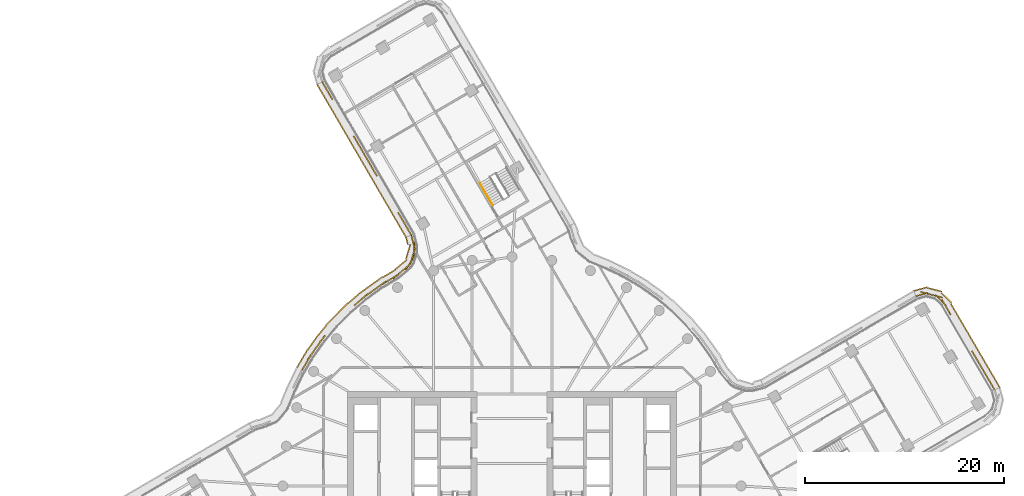
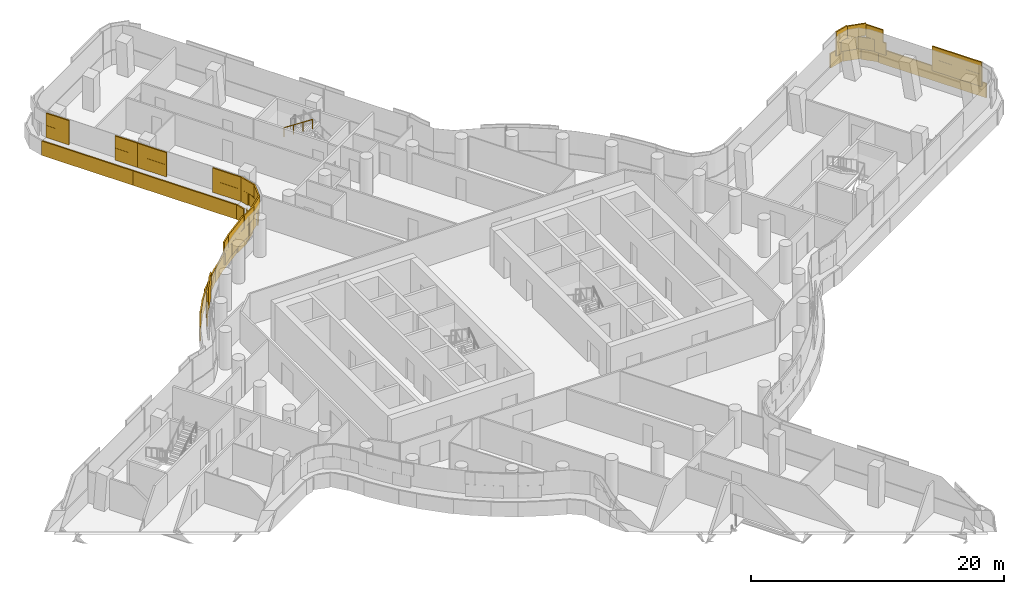
# One storey, part 33 of 35: 4 coverings, 1 railing.
"""IFC4 building model written with IfcOpenShell, lengths in metres."""

from ifc_helpers import new_model, si_unit, direction, frame, origin, origin_2d, place, context, subcontext, project, spatial, rectangle, circle, extrude, material, layer, layer_set, type_object, element, save


model = new_model("IFC4")

# Units and contexts
model_context = context("Model", 3, precision=1e-05, world=origin(), true_north=direction((0.0, 1.0)))
body_context = subcontext(model_context, "Body", "Model", "MODEL_VIEW")
ifc_project = project(units=[si_unit("LENGTHUNIT", "METRE"), si_unit("AREAUNIT", "SQUARE_METRE"), si_unit("VOLUMEUNIT", "CUBIC_METRE"), si_unit("PLANEANGLEUNIT", "RADIAN"), si_unit("MASSUNIT", "GRAM", prefix="KILO")], contexts=[model_context])

# Site, building, storey
site_placement = place(None, origin())
site = spatial("IfcSite", under=ifc_project, at=site_placement, CompositionType="ELEMENT")
building_placement = place(site_placement, origin())
building = spatial("IfcBuilding", under=site, at=building_placement, Name="Tamarind Cross Interchange Tower", CompositionType="ELEMENT")
storey_placement = place(building_placement, frame((0.0, 0.0, 144.25)))
storey = spatial("IfcBuildingStorey", under=building, at=storey_placement, Name="L35", CompositionType="ELEMENT", Elevation=144.25)

# Railing
ifc_material_1 = material(Name="Stair handrail")
railing_type = type_object("IfcRailingType", Name="Stair handrail", PredefinedType="HANDRAIL", material=ifc_material_1)
railing_placement = place(storey_placement, frame((-3.23828125, 30.415771484375, 2.04541015625)))
element("IfcRailing", 1, at=railing_placement, inside=storey, type_object=railing_type, Name="L35 ST4 stair handrail 2", PredefinedType="HANDRAIL", context=body_context, shape_type="SweptSolid", body=[
    extrude(circle(Radius=0.02392578125, at=origin_2d()), frame((0.0, 0.0, 0.8759765625), z_axis=(0.421927310507, -0.722058741879, 0.548277774421), x_axis=(0.863400629479, 0.504518932267, 0.0)), (0.0, 0.0, 1.0), 3.10888671875),
    extrude(circle(Radius=0.02099609375, at=origin_2d()), origin(), (0.0, 0.0, 1.0), 0.851806640625),
    extrude(circle(Radius=0.02099609375, at=origin_2d()), frame((0.437255859375, -0.748291015625, 0.568115234375)), (0.0, 0.0, 1.0), 0.851806640625),
    extrude(circle(Radius=0.02099609375, at=origin_2d()), frame((0.87451171875, -1.49658203125, 1.136474609375)), (0.0, 0.0, 1.0), 0.851806640625),
    extrude(circle(Radius=0.02099609375, at=origin_2d()), frame((1.311767578125, -2.244873046875, 1.70458984375)), (0.0, 0.0, 1.0), 0.851806640625),
])

# Coverings
ifc_material_2 = material(Name="Terracotta", Category="masonry")
ifc_layer = layer(ifc_material_2, 0.1201171875)
ifc_layer_set = layer_set([ifc_layer], Name="Terracotta")
covering_type = type_object("IfcCoveringType", Name="Terracotta baguette screen unit", PredefinedType="MOLDING", material=ifc_layer_set)
covering_1_placement = place(storey_placement, origin())
element("IfcCovering", 2, at=covering_1_placement, inside=storey, type_object=covering_type, Name="SCR-L35-08-00", PredefinedType="MOLDING", context=body_context, shape_type="SweptSolid", body=[
    extrude(rectangle(XDim=0.760009765625, YDim=0.1201171875, at=origin_2d()), frame((48.25927734375, 9.973876953125, 1.404052734375), z_axis=(0.0, 0.0, 1.0), x_axis=(-0.50451556849, 0.863402595057, 0.0)), (0.0, 0.0, 1.0), 1.1669921875),
    extrude(rectangle(XDim=1.52001953125, YDim=0.1201171875, at=origin_2d()), frame((47.691650390625, 10.945068359375, 1.404052734375), z_axis=(0.0, 0.0, 1.0), x_axis=(-0.50451556849, 0.863402595057, 0.0)), (0.0, 0.0, 1.0), 1.1669921875),
    extrude(rectangle(XDim=1.52001953125, YDim=0.1201171875, at=origin_2d()), frame((46.93505859375, 12.240234375, 1.404052734375), z_axis=(0.0, 0.0, 1.0), x_axis=(-0.50451556849, 0.863402595057, 0.0)), (0.0, 0.0, 1.0), 1.1669921875),
    extrude(rectangle(XDim=0.784912109375, YDim=0.1201171875, at=origin_2d()), frame((46.361083984375, 13.22216796875, 1.404052734375), z_axis=(0.0, 0.0, 1.0), x_axis=(-0.50451556849, 0.863402595057, 0.0)), (0.0, 0.0, 1.0), 1.1669921875),
    extrude(rectangle(XDim=1.03515625, YDim=0.1201171875, at=origin_2d()), frame((43.7880859375, 17.62548828125, 1.404052734375), z_axis=(0.0, 0.0, 1.0), x_axis=(-0.50451556849, 0.863402595057, 0.0)), (0.0, 0.0, 1.0), 1.1669921875),
    extrude(rectangle(XDim=1.52001953125, YDim=0.1201171875, at=origin_2d()), frame((43.052978515625, 18.6396484375, 1.404052734375), z_axis=(0.0, 0.0, 1.0), x_axis=(-0.710789652561, 0.703404627375, 0.0)), (0.0, 0.0, 1.0), 1.1669921875),
    extrude(rectangle(XDim=1.52001953125, YDim=0.1201171875, at=origin_2d()), frame((41.754638671875, 19.28759765625, 1.404052734375), z_axis=(0.0, 0.0, 1.0), x_axis=(-0.967264209552, 0.253771450166, 0.0)), (0.0, 0.0, 1.0), 1.1669921875),
    extrude(rectangle(XDim=0.509521484375, YDim=0.1201171875, at=origin_2d()), frame((40.789794921875, 19.1162109375, 1.404052734375), z_axis=(0.0, 0.0, 1.0), x_axis=(-0.964561102727, -0.263859582177, 0.0)), (0.0, 0.0, 1.0), 1.1669921875),
    extrude(rectangle(XDim=1.510009765625, YDim=0.1201171875, at=origin_2d()), frame((48.070068359375, 10.297607421875, 2.5791015625), z_axis=(0.0, 0.0, 1.0), x_axis=(-0.50451556849, 0.863402595057, 0.0)), (0.0, 0.0, 1.0), 1.1669921875),
    extrude(rectangle(XDim=1.52001953125, YDim=0.1201171875, at=origin_2d()), frame((47.3134765625, 11.5927734375, 2.5791015625), z_axis=(0.0, 0.0, 1.0), x_axis=(-0.50451556849, 0.863402595057, 0.0)), (0.0, 0.0, 1.0), 1.1669921875),
    extrude(rectangle(XDim=1.52001953125, YDim=0.1201171875, at=origin_2d()), frame((46.556640625, 12.8876953125, 2.5791015625), z_axis=(0.0, 0.0, 1.0), x_axis=(-0.50451556849, 0.863402595057, 0.0)), (0.0, 0.0, 1.0), 1.1669921875),
    extrude(rectangle(XDim=1.52001953125, YDim=0.1201171875, at=origin_2d()), frame((43.529541015625, 18.068115234375, 2.5791015625), z_axis=(0.0, 0.0, 1.0), x_axis=(-0.50451556849, 0.863402595057, 0.0)), (0.0, 0.0, 1.0), 1.1669921875),
    extrude(rectangle(XDim=1.52001953125, YDim=0.1201171875, at=origin_2d()), frame((42.47998046875, 19.097412109375, 2.5791015625), z_axis=(0.0, 0.0, 1.0), x_axis=(-0.967264209552, 0.253771450166, 0.0)), (0.0, 0.0, 1.0), 1.1669921875),
    extrude(rectangle(XDim=1.259521484375, YDim=0.1201171875, at=origin_2d()), frame((41.1513671875, 19.215087890625, 2.5791015625), z_axis=(0.0, 0.0, 1.0), x_axis=(-0.964561102727, -0.263859582177, 0.0)), (0.0, 0.0, 1.0), 1.1669921875),
    extrude(rectangle(XDim=0.760009765625, YDim=0.1201171875, at=origin_2d()), frame((48.79052734375, 10.202392578125, 0.00390625), z_axis=(0.0, 0.0, 1.0), x_axis=(-0.50451556849, 0.863402595057, 0.0)), (0.0, 0.0, 1.0), 1.39208984375),
    extrude(rectangle(XDim=1.52001953125, YDim=0.1201171875, at=origin_2d()), frame((48.2255859375, 11.16943359375, 0.00390625), z_axis=(0.0, 0.0, 1.0), x_axis=(-0.50451556849, 0.863402595057, 0.0)), (0.0, 0.0, 1.0), 1.39208984375),
    extrude(rectangle(XDim=1.52001953125, YDim=0.1201171875, at=origin_2d()), frame((47.46875, 12.464599609375, 0.00390625), z_axis=(0.0, 0.0, 1.0), x_axis=(-0.50451556849, 0.863402595057, 0.0)), (0.0, 0.0, 1.0), 1.39208984375),
    extrude(rectangle(XDim=1.52001953125, YDim=0.1201171875, at=origin_2d()), frame((46.7119140625, 13.759765625, 0.00390625), z_axis=(0.0, 0.0, 1.0), x_axis=(-0.50451556849, 0.863402595057, 0.0)), (0.0, 0.0, 1.0), 1.39208984375),
    extrude(rectangle(XDim=1.52001953125, YDim=0.1201171875, at=origin_2d()), frame((45.955078125, 15.0546875, 0.00390625), z_axis=(0.0, 0.0, 1.0), x_axis=(-0.50451556849, 0.863402595057, 0.0)), (0.0, 0.0, 1.0), 1.39208984375),
    extrude(rectangle(XDim=1.52001953125, YDim=0.1201171875, at=origin_2d()), frame((45.198486328125, 16.349853515625, 0.00390625), z_axis=(0.0, 0.0, 1.0), x_axis=(-0.50451556849, 0.863402595057, 0.0)), (0.0, 0.0, 1.0), 1.39208984375),
    extrude(rectangle(XDim=1.52001953125, YDim=0.1201171875, at=origin_2d()), frame((44.441650390625, 17.64501953125, 0.00390625), z_axis=(0.0, 0.0, 1.0), x_axis=(-0.50451556849, 0.863402595057, 0.0)), (0.0, 0.0, 1.0), 1.39208984375),
    extrude(rectangle(XDim=1.52001953125, YDim=0.1201171875, at=origin_2d()), frame((43.61767578125, 18.887939453125, 0.00390625), z_axis=(0.0, 0.0, 1.0), x_axis=(-0.710789652561, 0.703404627375, 0.0)), (0.0, 0.0, 1.0), 1.39208984375),
    extrude(rectangle(XDim=1.52001953125, YDim=0.1201171875, at=origin_2d()), frame((42.4169921875, 19.707275390625, 0.00390625), z_axis=(0.0, 0.0, 1.0), x_axis=(-0.967264209552, 0.253771450166, 0.0)), (0.0, 0.0, 1.0), 1.39208984375),
    extrude(rectangle(XDim=1.426513671875, YDim=0.1201171875, at=origin_2d()), frame((41.012939453125, 19.7724609375, 0.00390625), z_axis=(0.0, 0.0, 1.0), x_axis=(-0.964561102727, -0.263859582177, 0.0)), (0.0, 0.0, 1.0), 1.39208984375),
])
covering_2_placement = place(storey_placement, origin())
element("IfcCovering", 3, at=covering_2_placement, inside=storey, type_object=covering_type, Name="SCR-L35-13-00", PredefinedType="MOLDING", context=body_context, shape_type="SweptSolid", body=[
    extrude(rectangle(XDim=0.760009765625, YDim=0.1201171875, at=origin_2d()), frame((-18.86181640625, 40.224609375, 1.404052734375), z_axis=(0.0, 0.0, 1.0), x_axis=(0.502708433946, -0.864456031525, 0.0)), (0.0, 0.0, 1.0), 1.1669921875),
    extrude(rectangle(XDim=1.317138671875, YDim=0.1201171875, at=origin_2d()), frame((-18.3447265625, 39.33544921875, 1.404052734375), z_axis=(0.0, 0.0, 1.0), x_axis=(0.502708433946, -0.864456031525, 0.0)), (0.0, 0.0, 1.0), 1.1669921875),
    extrude(rectangle(XDim=0.5029296875, YDim=0.1201171875, at=origin_2d()), frame((-15.781005859375, 34.9267578125, 1.404052734375), z_axis=(0.0, 0.0, 1.0), x_axis=(0.502708433946, -0.864456031525, 0.0)), (0.0, 0.0, 1.0), 1.1669921875),
    extrude(rectangle(XDim=1.52001953125, YDim=0.1201171875, at=origin_2d()), frame((-15.280029296875, 34.0654296875, 1.404052734375), z_axis=(0.0, 0.0, 1.0), x_axis=(0.502708433946, -0.864456031525, 0.0)), (0.0, 0.0, 1.0), 1.1669921875),
    extrude(rectangle(XDim=0.073974609375, YDim=0.1201171875, at=origin_2d()), frame((-14.886962890625, 33.389404296875, 1.404052734375), z_axis=(0.0, 0.0, 1.0), x_axis=(0.502708433946, -0.864456031525, 0.0)), (0.0, 0.0, 1.0), 1.1669921875),
    extrude(rectangle(XDim=1.510009765625, YDim=0.1201171875, at=origin_2d()), frame((-18.67333984375, 39.900390625, 2.5791015625), z_axis=(0.0, 0.0, 1.0), x_axis=(0.502708433946, -0.864456031525, 0.0)), (0.0, 0.0, 1.0), 1.1669921875),
    extrude(rectangle(XDim=0.567138671875, YDim=0.1201171875, at=origin_2d()), frame((-18.15625, 39.01123046875, 2.5791015625), z_axis=(0.0, 0.0, 1.0), x_axis=(0.502708433946, -0.864456031525, 0.0)), (0.0, 0.0, 1.0), 1.1669921875),
    extrude(rectangle(XDim=1.2529296875, YDim=0.1201171875, at=origin_2d()), frame((-15.592529296875, 34.6025390625, 2.5791015625), z_axis=(0.0, 0.0, 1.0), x_axis=(0.502708433946, -0.864456031525, 0.0)), (0.0, 0.0, 1.0), 1.1669921875),
    extrude(rectangle(XDim=0.823974609375, YDim=0.1201171875, at=origin_2d()), frame((-15.075439453125, 33.71337890625, 2.5791015625), z_axis=(0.0, 0.0, 1.0), x_axis=(0.502708433946, -0.864456031525, 0.0)), (0.0, 0.0, 1.0), 1.1669921875),
    extrude(rectangle(XDim=0.760009765625, YDim=0.1201171875, at=origin_2d()), frame((-19.393310546875, 39.99658203125, 0.00390625), z_axis=(0.0, 0.0, 1.0), x_axis=(0.502708433946, -0.864456031525, 0.0)), (0.0, 0.0, 1.0), 1.39208984375),
    extrude(rectangle(XDim=1.52001953125, YDim=0.1201171875, at=origin_2d()), frame((-18.830078125, 39.0283203125, 0.00390625), z_axis=(0.0, 0.0, 1.0), x_axis=(0.502708433946, -0.864456031525, 0.0)), (0.0, 0.0, 1.0), 1.39208984375),
    extrude(rectangle(XDim=1.52001953125, YDim=0.1201171875, at=origin_2d()), frame((-18.076171875, 37.731689453125, 0.00390625), z_axis=(0.0, 0.0, 1.0), x_axis=(0.502708433946, -0.864456031525, 0.0)), (0.0, 0.0, 1.0), 1.39208984375),
    extrude(rectangle(XDim=1.52001953125, YDim=0.1201171875, at=origin_2d()), frame((-17.322021484375, 36.43505859375, 0.00390625), z_axis=(0.0, 0.0, 1.0), x_axis=(0.502708433946, -0.864456031525, 0.0)), (0.0, 0.0, 1.0), 1.39208984375),
    extrude(rectangle(XDim=1.52001953125, YDim=0.1201171875, at=origin_2d()), frame((-16.56787109375, 35.13818359375, 0.00390625), z_axis=(0.0, 0.0, 1.0), x_axis=(0.502708433946, -0.864456031525, 0.0)), (0.0, 0.0, 1.0), 1.39208984375),
    extrude(rectangle(XDim=1.52001953125, YDim=0.1201171875, at=origin_2d()), frame((-15.81396484375, 33.841552734375, 0.00390625), z_axis=(0.0, 0.0, 1.0), x_axis=(0.502708433946, -0.864456031525, 0.0)), (0.0, 0.0, 1.0), 1.39208984375),
    extrude(rectangle(XDim=0.072265625, YDim=0.1201171875, at=origin_2d()), frame((-15.423828125, 33.170654296875, 0.00390625), z_axis=(0.0, 0.0, 1.0), x_axis=(0.502708433946, -0.864456031525, 0.0)), (0.0, 0.0, 1.0), 1.39208984375),
])
covering_3_placement = place(storey_placement, origin())
element("IfcCovering", 4, at=covering_3_placement, inside=storey, type_object=covering_type, Name="SCR-L35-13-01", PredefinedType="MOLDING", context=body_context, shape_type="SweptSolid", body=[
    extrude(rectangle(XDim=1.446044921875, YDim=0.1201171875, at=origin_2d()), frame((-14.509765625, 32.740966796875, 1.404052734375), z_axis=(0.0, 0.0, 1.0), x_axis=(0.502708433946, -0.864456031525, 0.0)), (0.0, 0.0, 1.0), 1.1669921875),
    extrude(rectangle(XDim=1.201416015625, YDim=0.1201171875, at=origin_2d()), frame((-13.849365234375, 31.60546875, 1.404052734375), z_axis=(0.0, 0.0, 1.0), x_axis=(0.502708433946, -0.864456031525, 0.0)), (0.0, 0.0, 1.0), 1.1669921875),
    extrude(rectangle(XDim=0.61865234375, YDim=0.1201171875, at=origin_2d()), frame((-11.28564453125, 27.19677734375, 1.404052734375), z_axis=(0.0, 0.0, 1.0), x_axis=(0.502708433946, -0.864456031525, 0.0)), (0.0, 0.0, 1.0), 1.1669921875),
    extrude(rectangle(XDim=1.52001953125, YDim=0.1201171875, at=origin_2d()), frame((-10.755615234375, 26.28515625, 1.404052734375), z_axis=(0.0, 0.0, 1.0), x_axis=(0.502708433946, -0.864456031525, 0.0)), (0.0, 0.0, 1.0), 1.1669921875),
    extrude(rectangle(XDim=0.528564453125, YDim=0.1201171875, at=origin_2d()), frame((-10.248291015625, 25.41259765625, 1.404052734375), z_axis=(0.0, 0.0, 1.0), x_axis=(0.502708433946, -0.864456031525, 0.0)), (0.0, 0.0, 1.0), 1.1669921875),
    extrude(rectangle(XDim=0.696044921875, YDim=0.1201171875, at=origin_2d()), frame((-14.698486328125, 33.065185546875, 2.5791015625), z_axis=(0.0, 0.0, 1.0), x_axis=(0.502708433946, -0.864456031525, 0.0)), (0.0, 0.0, 1.0), 1.1669921875),
    extrude(rectangle(XDim=1.52001953125, YDim=0.1201171875, at=origin_2d()), frame((-14.14892578125, 32.120361328125, 2.5791015625), z_axis=(0.0, 0.0, 1.0), x_axis=(0.502708433946, -0.864456031525, 0.0)), (0.0, 0.0, 1.0), 1.1669921875),
    extrude(rectangle(XDim=0.451416015625, YDim=0.1201171875, at=origin_2d()), frame((-13.660888671875, 31.28125, 2.5791015625), z_axis=(0.0, 0.0, 1.0), x_axis=(0.502708433946, -0.864456031525, 0.0)), (0.0, 0.0, 1.0), 1.1669921875),
    extrude(rectangle(XDim=1.36865234375, YDim=0.1201171875, at=origin_2d()), frame((-11.09716796875, 26.87255859375, 2.5791015625), z_axis=(0.0, 0.0, 1.0), x_axis=(0.502708433946, -0.864456031525, 0.0)), (0.0, 0.0, 1.0), 1.1669921875),
    extrude(rectangle(XDim=1.278564453125, YDim=0.1201171875, at=origin_2d()), frame((-10.436767578125, 25.73681640625, 2.5791015625), z_axis=(0.0, 0.0, 1.0), x_axis=(0.502708433946, -0.864456031525, 0.0)), (0.0, 0.0, 1.0), 1.1669921875),
    extrude(rectangle(XDim=1.44775390625, YDim=0.1201171875, at=origin_2d()), frame((-15.041748046875, 32.513671875, 0.00390625), z_axis=(0.0, 0.0, 1.0), x_axis=(0.502708433946, -0.864456031525, 0.0)), (0.0, 0.0, 1.0), 1.39208984375),
    extrude(rectangle(XDim=1.52001953125, YDim=0.1201171875, at=origin_2d()), frame((-14.3056640625, 31.248291015625, 0.00390625), z_axis=(0.0, 0.0, 1.0), x_axis=(0.502708433946, -0.864456031525, 0.0)), (0.0, 0.0, 1.0), 1.39208984375),
    extrude(rectangle(XDim=1.52001953125, YDim=0.1201171875, at=origin_2d()), frame((-13.5517578125, 29.951416015625, 0.00390625), z_axis=(0.0, 0.0, 1.0), x_axis=(0.502708433946, -0.864456031525, 0.0)), (0.0, 0.0, 1.0), 1.39208984375),
    extrude(rectangle(XDim=1.52001953125, YDim=0.1201171875, at=origin_2d()), frame((-12.797607421875, 28.65478515625, 0.00390625), z_axis=(0.0, 0.0, 1.0), x_axis=(0.502708433946, -0.864456031525, 0.0)), (0.0, 0.0, 1.0), 1.39208984375),
    extrude(rectangle(XDim=1.52001953125, YDim=0.1201171875, at=origin_2d()), frame((-12.043701171875, 27.358154296875, 0.00390625), z_axis=(0.0, 0.0, 1.0), x_axis=(0.502708433946, -0.864456031525, 0.0)), (0.0, 0.0, 1.0), 1.39208984375),
    extrude(rectangle(XDim=1.52001953125, YDim=0.1201171875, at=origin_2d()), frame((-11.28955078125, 26.0615234375, 0.00390625), z_axis=(0.0, 0.0, 1.0), x_axis=(0.502708433946, -0.864456031525, 0.0)), (0.0, 0.0, 1.0), 1.39208984375),
    extrude(rectangle(XDim=0.525146484375, YDim=0.1201171875, at=origin_2d()), frame((-10.78564453125, 25.19482421875, 0.00390625), z_axis=(0.0, 0.0, 1.0), x_axis=(0.502708433946, -0.864456031525, 0.0)), (0.0, 0.0, 1.0), 1.39208984375),
])
covering_4_placement = place(storey_placement, origin())
element("IfcCovering", 5, at=covering_4_placement, inside=storey, type_object=covering_type, Name="SCR-L35-14-00", PredefinedType="MOLDING", context=body_context, shape_type="SweptSolid", body=[
    extrude(rectangle(XDim=0.760009765625, YDim=0.1201171875, at=origin_2d()), frame((-10.0234375, 24.82568359375, 1.404052734375), z_axis=(0.0, 0.0, 1.0), x_axis=(0.251924755788, -0.967746825064, 0.0)), (0.0, 0.0, 1.0), 1.1669921875),
    extrude(rectangle(XDim=1.52001953125, YDim=0.1201171875, at=origin_2d()), frame((-9.8251953125, 23.726806640625, 1.404052734375), z_axis=(0.0, 0.0, 1.0), x_axis=(-0.019482275841, -0.999810202452, 0.0)), (0.0, 0.0, 1.0), 1.1669921875),
    extrude(rectangle(XDim=1.52001953125, YDim=0.1201171875, at=origin_2d()), frame((-10.271728515625, 22.3125, 1.404052734375), z_axis=(0.0, 0.0, 1.0), x_axis=(-0.537768291418, -0.843092678622, 0.0)), (0.0, 0.0, 1.0), 1.1669921875),
    extrude(rectangle(XDim=1.52001953125, YDim=0.1201171875, at=origin_2d()), frame((-11.3642578125, 21.298583984375, 1.404052734375), z_axis=(0.0, 0.0, 1.0), x_axis=(-0.765691731363, -0.643207721131, 0.0)), (0.0, 0.0, 1.0), 1.1669921875),
    extrude(rectangle(XDim=1.52001953125, YDim=0.1201171875, at=origin_2d()), frame((-12.624267578125, 20.489990234375, 1.404052734375), z_axis=(0.0, 0.0, 1.0), x_axis=(-0.856828084362, -0.515602205046, 0.0)), (0.0, 0.0, 1.0), 1.1669921875),
    extrude(rectangle(XDim=1.52001953125, YDim=0.1201171875, at=origin_2d()), frame((-13.875, 19.664306640625, 1.404052734375), z_axis=(0.0, 0.0, 1.0), x_axis=(-0.811340475102, -0.584573890505, 0.0)), (0.0, 0.0, 1.0), 1.1669921875),
    extrude(rectangle(XDim=1.52001953125, YDim=0.1201171875, at=origin_2d()), frame((-15.078369140625, 18.77001953125, 1.404052734375), z_axis=(0.0, 0.0, 1.0), x_axis=(-0.760295606781, -0.64957723968, 0.0)), (0.0, 0.0, 1.0), 1.1669921875),
    extrude(rectangle(XDim=1.52001953125, YDim=0.1201171875, at=origin_2d()), frame((-19.240966796875, 14.471435546875, 1.404052734375), z_axis=(0.0, 0.0, 1.0), x_axis=(-0.577568978284, -0.816341886298, 0.0)), (0.0, 0.0, 1.0), 1.1669921875),
    extrude(rectangle(XDim=1.52001953125, YDim=0.1201171875, at=origin_2d()), frame((-20.107421875, 13.246826171875, 1.404052734375), z_axis=(0.0, 0.0, 1.0), x_axis=(-0.577568978284, -0.816341886298, 0.0)), (0.0, 0.0, 1.0), 1.1669921875),
    extrude(rectangle(XDim=1.143310546875, YDim=0.1201171875, at=origin_2d()), frame((-20.7900390625, 12.121826171875, 1.404052734375), z_axis=(0.0, 0.0, 1.0), x_axis=(-0.508183308752, -0.861248933065, 0.0)), (0.0, 0.0, 1.0), 1.1669921875),
    extrude(rectangle(XDim=1.510009765625, YDim=0.1201171875, at=origin_2d()), frame((-9.928955078125, 24.462646484375, 2.5791015625), z_axis=(0.0, 0.0, 1.0), x_axis=(0.251924755788, -0.967746825064, 0.0)), (0.0, 0.0, 1.0), 1.1669921875),
    extrude(rectangle(XDim=1.52001953125, YDim=0.1201171875, at=origin_2d()), frame((-9.990234375, 23.000732421875, 2.5791015625), z_axis=(0.0, 0.0, 1.0), x_axis=(-0.28943417948, -0.957197918797, 0.0)), (0.0, 0.0, 1.0), 1.1669921875),
    extrude(rectangle(XDim=1.52001953125, YDim=0.1201171875, at=origin_2d()), frame((-10.7900390625, 21.781005859375, 2.5791015625), z_axis=(0.0, 0.0, 1.0), x_axis=(-0.765691731363, -0.643207721131, 0.0)), (0.0, 0.0, 1.0), 1.1669921875),
    extrude(rectangle(XDim=1.52001953125, YDim=0.1201171875, at=origin_2d()), frame((-11.981689453125, 20.876708984375, 2.5791015625), z_axis=(0.0, 0.0, 1.0), x_axis=(-0.856828084362, -0.515602205046, 0.0)), (0.0, 0.0, 1.0), 1.1669921875),
    extrude(rectangle(XDim=1.52001953125, YDim=0.1201171875, at=origin_2d()), frame((-13.2666015625, 20.102783203125, 2.5791015625), z_axis=(0.0, 0.0, 1.0), x_axis=(-0.811340475102, -0.584573890505, 0.0)), (0.0, 0.0, 1.0), 1.1669921875),
    extrude(rectangle(XDim=1.52001953125, YDim=0.1201171875, at=origin_2d()), frame((-14.483642578125, 19.225830078125, 2.5791015625), z_axis=(0.0, 0.0, 1.0), x_axis=(-0.811340475102, -0.584573890505, 0.0)), (0.0, 0.0, 1.0), 1.1669921875),
    extrude(rectangle(XDim=1.01708984375, YDim=0.1201171875, at=origin_2d()), frame((-15.46142578125, 18.443115234375, 2.5791015625), z_axis=(0.0, 0.0, 1.0), x_axis=(-0.760295606781, -0.64957723968, 0.0)), (0.0, 0.0, 1.0), 1.1669921875),
    extrude(rectangle(XDim=0.802978515625, YDim=0.1201171875, at=origin_2d()), frame((-19.00537109375, 14.7900390625, 2.5791015625), z_axis=(0.0, 0.0, 1.0), x_axis=(-0.643009266048, -0.765858396687, 0.0)), (0.0, 0.0, 1.0), 1.1669921875),
    extrude(rectangle(XDim=1.52001953125, YDim=0.1201171875, at=origin_2d()), frame((-19.674072265625, 13.859130859375, 2.5791015625), z_axis=(0.0, 0.0, 1.0), x_axis=(-0.577568978284, -0.816341886298, 0.0)), (0.0, 0.0, 1.0), 1.1669921875),
    extrude(rectangle(XDim=1.52001953125, YDim=0.1201171875, at=origin_2d()), frame((-20.501953125, 12.60986328125, 2.5791015625), z_axis=(0.0, 0.0, 1.0), x_axis=(-0.508183308752, -0.861248933065, 0.0)), (0.0, 0.0, 1.0), 1.1669921875),
    extrude(rectangle(XDim=0.393310546875, YDim=0.1201171875, at=origin_2d()), frame((-20.980712890625, 11.798828125, 2.5791015625), z_axis=(0.0, 0.0, 1.0), x_axis=(-0.508183308752, -0.861248933065, 0.0)), (0.0, 0.0, 1.0), 1.1669921875),
    extrude(rectangle(XDim=0.760009765625, YDim=0.1201171875, at=origin_2d()), frame((-10.557861328125, 24.60009765625, 0.00390625), z_axis=(0.0, 0.0, 1.0), x_axis=(0.251924755788, -0.967746825064, 0.0)), (0.0, 0.0, 1.0), 1.39208984375),
    extrude(rectangle(XDim=1.52001953125, YDim=0.1201171875, at=origin_2d()), frame((-10.436767578125, 23.50634765625, 0.00390625), z_axis=(0.0, 0.0, 1.0), x_axis=(-0.28943417948, -0.957197918797, 0.0)), (0.0, 0.0, 1.0), 1.39208984375),
    extrude(rectangle(XDim=1.52001953125, YDim=0.1201171875, at=origin_2d()), frame((-11.1435546875, 22.233642578125, 0.00390625), z_axis=(0.0, 0.0, 1.0), x_axis=(-0.765691731363, -0.643207721131, 0.0)), (0.0, 0.0, 1.0), 1.39208984375),
    extrude(rectangle(XDim=1.52001953125, YDim=0.1201171875, at=origin_2d()), frame((-12.337646484375, 21.33251953125, 0.00390625), z_axis=(0.0, 0.0, 1.0), x_axis=(-0.856828084362, -0.515602205046, 0.0)), (0.0, 0.0, 1.0), 1.39208984375),
    extrude(rectangle(XDim=1.52001953125, YDim=0.1201171875, at=origin_2d()), frame((-13.620361328125, 20.55517578125, 0.00390625), z_axis=(0.0, 0.0, 1.0), x_axis=(-0.811340475102, -0.584573890505, 0.0)), (0.0, 0.0, 1.0), 1.39208984375),
    extrude(rectangle(XDim=1.52001953125, YDim=0.1201171875, at=origin_2d()), frame((-14.83740234375, 19.678466796875, 0.00390625), z_axis=(0.0, 0.0, 1.0), x_axis=(-0.811340475102, -0.584573890505, 0.0)), (0.0, 0.0, 1.0), 1.39208984375),
    extrude(rectangle(XDim=1.52001953125, YDim=0.1201171875, at=origin_2d()), frame((-16.00244140625, 18.735595703125, 0.00390625), z_axis=(0.0, 0.0, 1.0), x_axis=(-0.760295606781, -0.64957723968, 0.0)), (0.0, 0.0, 1.0), 1.39208984375),
    extrude(rectangle(XDim=1.52001953125, YDim=0.1201171875, at=origin_2d()), frame((-17.1162109375, 17.732177734375, 0.00390625), z_axis=(0.0, 0.0, 1.0), x_axis=(-0.704057148523, -0.710143317658, 0.0)), (0.0, 0.0, 1.0), 1.39208984375),
    extrude(rectangle(XDim=1.52001953125, YDim=0.1201171875, at=origin_2d()), frame((-18.172119140625, 16.6669921875, 0.00390625), z_axis=(0.0, 0.0, 1.0), x_axis=(-0.704057148523, -0.710143317658, 0.0)), (0.0, 0.0, 1.0), 1.39208984375),
    extrude(rectangle(XDim=1.52001953125, YDim=0.1201171875, at=origin_2d()), frame((-19.140380859375, 15.521728515625, 0.00390625), z_axis=(0.0, 0.0, 1.0), x_axis=(-0.643009266048, -0.765858396687, 0.0)), (0.0, 0.0, 1.0), 1.39208984375),
    extrude(rectangle(XDim=1.52001953125, YDim=0.1201171875, at=origin_2d()), frame((-20.0458984375, 14.327392578125, 0.00390625), z_axis=(0.0, 0.0, 1.0), x_axis=(-0.577568978284, -0.816341886298, 0.0)), (0.0, 0.0, 1.0), 1.39208984375),
    extrude(rectangle(XDim=1.52001953125, YDim=0.1201171875, at=origin_2d()), frame((-20.88720703125, 13.086669921875, 0.00390625), z_axis=(0.0, 0.0, 1.0), x_axis=(-0.508183308752, -0.861248933065, 0.0)), (0.0, 0.0, 1.0), 1.39208984375),
    extrude(rectangle(XDim=0.624755859375, YDim=0.1201171875, at=origin_2d()), frame((-21.422119140625, 12.18017578125, 0.00390625), z_axis=(0.0, 0.0, 1.0), x_axis=(-0.508183308752, -0.861248933065, 0.0)), (0.0, 0.0, 1.0), 1.39208984375),
])

save(model, "model.ifc")
